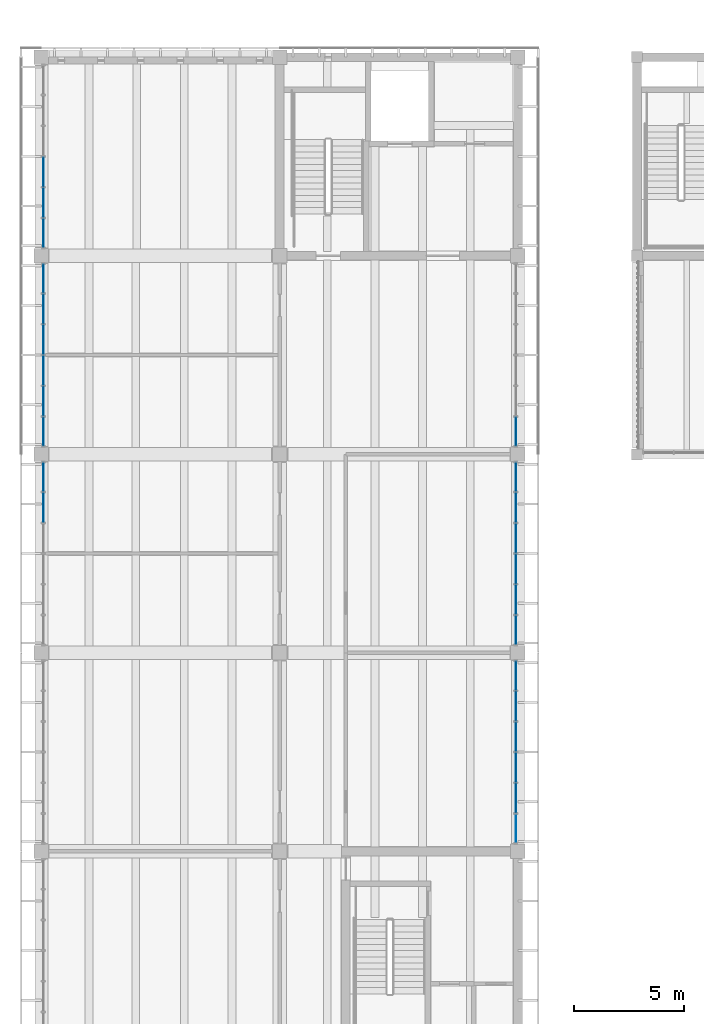
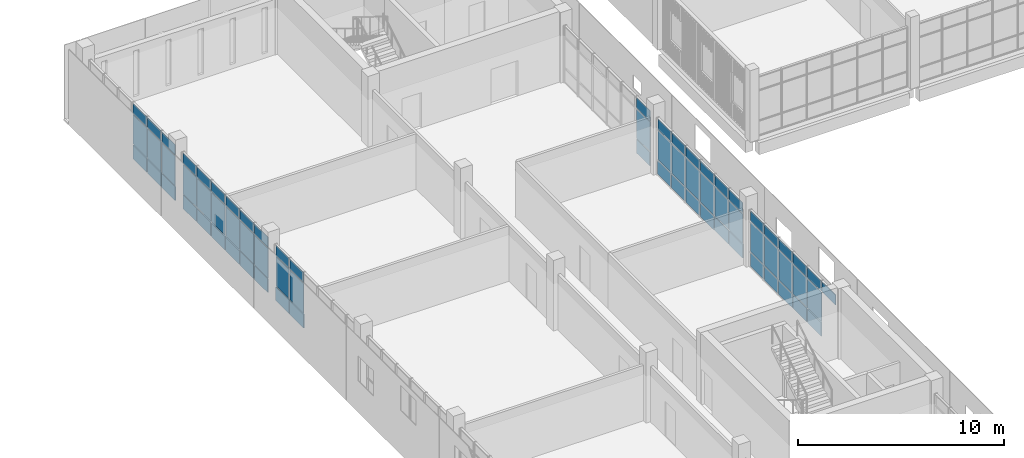
# One storey, part 41 of 92: 70 plates, 6 elements without a shape of their own.
"""IFC4 building model written with IfcOpenShell, lengths in metres."""

import ifcopenshell
import ifcopenshell.guid

model = None  # the IFC model being written
_history = None  # IfcOwnerHistory: only IFC2X3 demands one
_inside = {}  # id of a spatial element -> (the spatial element, [elements in it])
_under = {}  # id of a project, library or spatial element -> (it, [spatial elements below it])
_declared = {}  # id of a project -> (the project, [libraries it declares])
_typed = {}  # id of a type object -> (the type object, [elements of that type])
_made_of = {}  # id of a material, layer set ... -> (it, [elements and type objects made of it])


def new_model(schema):
    """Start an empty IFC model of exactly this schema.

    Asked for "IFC4X3", IfcOpenShell would pick the latest addendum, in which some entities
    have other attributes; the version numbers below select the first issue.
    IFC2X3 requires an IfcOwnerHistory on every rooted entity: one is made here for all.
    """
    global model, _history
    if schema == "IFC4X3":
        model = ifcopenshell.file(schema_version=(4, 3, 0, 0))
    else:
        model = ifcopenshell.file(schema=schema)
    _inside.clear()
    _under.clear()
    _declared.clear()
    _typed.clear()
    _made_of.clear()
    _history = None
    if model.schema == "IFC2X3":
        org = make("IfcOrganization", Name="unknown")
        user = make(
            "IfcPersonAndOrganization",
            ThePerson=make("IfcPerson", FamilyName="unknown"),
            TheOrganization=org,
        )
        app = make(
            "IfcApplication",
            ApplicationDeveloper=org,
            Version="unknown",
            ApplicationFullName="unknown",
            ApplicationIdentifier="unknown",
        )
        _history = make(
            "IfcOwnerHistory",
            OwningUser=user,
            OwningApplication=app,
            ChangeAction="ADDED",
            CreationDate=0,
        )
    return model


def make(cls, **values):
    """One entity of the class cls with the attributes given. An attribute that is None is left unset."""
    return model.create_entity(
        cls, **{name: value for name, value in values.items() if value is not None}
    )


def rooted(cls, **values):
    """An entity with a GlobalId (a new one), such as an element, a storey or a relation."""
    return make(cls, GlobalId=ifcopenshell.guid.new(), OwnerHistory=_history, **values)


def si_unit(unit_type, name, prefix=None):
    """IfcSIUnit, for example si_unit("LENGTHUNIT", "METRE", prefix="MILLI")."""
    return make("IfcSIUnit", UnitType=unit_type, Prefix=prefix, Name=name)


def assignment(units):
    """IfcUnitAssignment: the units of a project."""
    return None if units is None else make("IfcUnitAssignment", Units=units)


def point(xyz):
    """IfcCartesianPoint."""
    return None if xyz is None else make("IfcCartesianPoint", Coordinates=xyz)


def direction(xyz):
    """IfcDirection."""
    return None if xyz is None else make("IfcDirection", DirectionRatios=xyz)


def frame(location, z_axis=None, x_axis=None):
    """IfcAxis2Placement3D, a coordinate frame: its origin and axes. An axis left out is left unset."""
    return make(
        "IfcAxis2Placement3D",
        Location=point(location),
        Axis=direction(z_axis),
        RefDirection=direction(x_axis),
    )


def frame_2d(location, x_axis=None):
    """IfcAxis2Placement2D, a coordinate frame in the plane: its origin and x axis."""
    return make(
        "IfcAxis2Placement2D", Location=point(location), RefDirection=direction(x_axis)
    )


def origin():
    """The frame at (0, 0, 0) with its axes left unset."""
    return frame((0.0, 0.0, 0.0))


def origin_2d():
    """The frame at (0, 0) in the plane with its x axis left unset."""
    return frame_2d((0.0, 0.0))


def place(relative_to, where):
    """IfcLocalPlacement: puts the frame where relative to a parent placement (None: the world)."""
    return make(
        "IfcLocalPlacement", PlacementRelTo=relative_to, RelativePlacement=where
    )


def context(
    kind, dimensions, precision=None, world=None, true_north=None, identifier=None
):
    """IfcGeometricRepresentationContext, for example the 3D "Model" context."""
    return make(
        "IfcGeometricRepresentationContext",
        ContextIdentifier=identifier,
        ContextType=kind,
        CoordinateSpaceDimension=dimensions,
        Precision=precision,
        WorldCoordinateSystem=world,
        TrueNorth=true_north,
    )


def subcontext(parent, identifier, kind, view, scale=None):
    """IfcGeometricRepresentationSubContext, for example "Body" below "Model"."""
    return make(
        "IfcGeometricRepresentationSubContext",
        ContextIdentifier=identifier,
        ContextType=kind,
        ParentContext=parent,
        TargetScale=scale,
        TargetView=view,
    )


def project(units=None, contexts=None):
    """IfcProject with its units and contexts."""
    return rooted(
        "IfcProject",
        Name="project",
        RepresentationContexts=contexts,
        UnitsInContext=assignment(units),
    )


def spatial(cls, under=None, at=None, **own):
    """A site, building, storey or space (cls), placed at a placement, below another one or the project."""
    s = rooted(cls, ObjectPlacement=at, **own)
    if under is not None:
        _under.setdefault(under.id(), (under, []))[1].append(s)
    return s


def profile(cls, at=None, kind="AREA", **sizes):
    """A parametric profile (cls). Its sizes go by their IFC names, for example OverallWidth=200.0."""
    return make(cls, ProfileType=kind, Position=at, **sizes)


def rectangle(**sizes):
    """IfcRectangleProfileDef."""
    return profile("IfcRectangleProfileDef", **sizes)


def extrude(swept, where, along, depth):
    """IfcExtrudedAreaSolid: the profile swept, set in the frame where, extruded along a direction by depth."""
    return make(
        "IfcExtrudedAreaSolid",
        SweptArea=swept,
        Position=where,
        ExtrudedDirection=direction(along),
        Depth=depth,
    )


def shape(context_of_items, identifier, shape_type, items):
    """IfcShapeRepresentation: the items that make up one representation, for example the "Body"."""
    return make(
        "IfcShapeRepresentation",
        ContextOfItems=context_of_items,
        RepresentationIdentifier=identifier,
        RepresentationType=shape_type,
        Items=items,
    )


def material(Name=None, Category=None):
    """IfcMaterial."""
    return make("IfcMaterial", Name=Name, Category=Category)


def layer(
    of_material, thickness, ventilated=None, Name=None, Category=None, Priority=None
):
    """IfcMaterialLayer: one layer of a wall or slab, of a material (None: an air gap)."""
    return make(
        "IfcMaterialLayer",
        Material=of_material,
        LayerThickness=thickness,
        IsVentilated=ventilated,
        Name=Name,
        Category=Category,
        Priority=Priority,
    )


def layer_set(layers, Name=None):
    """IfcMaterialLayerSet."""
    return make("IfcMaterialLayerSet", MaterialLayers=layers, LayerSetName=Name)


def made_of(thing, what):
    """Note that an element or type object is made of a material, layer set ...; save() writes the relation."""
    if what is not None:
        _made_of.setdefault(what.id(), (what, []))[1].append(thing)
    return thing


def type_object(cls, material=None, **own):
    """A type object (cls), such as IfcWallType, which elements share."""
    return made_of(rooted(cls, **own), material)


def element(
    cls,
    number,
    at=None,
    inside=None,
    cuts=None,
    type_object=None,
    material=None,
    context=None,
    identifier="Body",
    shape_type=None,
    held_by="IfcProductDefinitionShape",
    body=None,
    shapes=None,
    **own,
):
    """One element of the class cls, such as IfcWall. Its Tag is "e" and its number.

    at: its placement. inside: the storey or other place that contains it. cuts: it is an
    opening in that element (IfcRelVoidsElement). A single representation is given by context,
    identifier, shape_type and body (its items); several are given by shapes. held_by: the class
    of the entity that holds the representations. save() writes the other relations.
    """
    e = rooted(cls, Tag="e%d" % number, ObjectPlacement=at, **own)
    if body is not None:
        shapes = [shape(context, identifier, shape_type, body)]
    if shapes is not None:
        e.Representation = make(held_by, Representations=shapes)
    if inside is not None:
        _inside.setdefault(inside.id(), (inside, []))[1].append(e)
    if cuts is not None:
        rooted(
            "IfcRelVoidsElement", RelatingBuildingElement=cuts, RelatedOpeningElement=e
        )
    if type_object is not None:
        _typed.setdefault(type_object.id(), (type_object, []))[1].append(e)
    return made_of(e, material)


def aggregate(whole, parts):
    """IfcRelAggregates: a whole, such as a stair, and the parts it consists of."""
    return rooted("IfcRelAggregates", RelatingObject=whole, RelatedObjects=parts)


def save(model, path):
    """Write the relations noted so far, then the file.

    IfcRelAggregates (storeys below a building ...), IfcRelContainedInSpatialStructure (elements
    in a storey), IfcRelDefinesByType, IfcRelAssociatesMaterial and IfcRelDeclares: one each for
    every whole, place, type object, material and project.
    """
    for whole, parts in _under.values():
        aggregate(whole, parts)
    for where, things in _inside.values():
        rooted(
            "IfcRelContainedInSpatialStructure",
            RelatedElements=things,
            RelatingStructure=where,
        )
    for kind, things in _typed.values():
        rooted("IfcRelDefinesByType", RelatedObjects=things, RelatingType=kind)
    for what, things in _made_of.values():
        rooted("IfcRelAssociatesMaterial", RelatedObjects=things, RelatingMaterial=what)
    for by, libraries in _declared.values():
        rooted("IfcRelDeclares", RelatingContext=by, RelatedDefinitions=libraries)
    model.write(path)


model = new_model("IFC4")

# Units and contexts
model_context = context("Model", 3, precision=1e-05, world=origin(), true_north=direction((0.0, 1.0)))
body_context = subcontext(model_context, "Body", "Model", "MODEL_VIEW")
ifc_project = project(units=[si_unit("LENGTHUNIT", "METRE"), si_unit("AREAUNIT", "SQUARE_METRE"), si_unit("VOLUMEUNIT", "CUBIC_METRE"), si_unit("PLANEANGLEUNIT", "RADIAN"), si_unit("MASSUNIT", "GRAM", prefix="KILO")], contexts=[model_context])

# Site, building, storey
site_placement = place(None, origin())
site = spatial("IfcSite", under=ifc_project, at=site_placement, CompositionType="ELEMENT")
building_placement = place(site_placement, origin())
building = spatial("IfcBuilding", under=site, at=building_placement, Name="Merrow Basin Faculty of Sciences", CompositionType="ELEMENT")
storey_placement = place(building_placement, frame((0.0, 0.0, 4.5)))
storey = spatial("IfcBuildingStorey", under=building, at=storey_placement, Name="L01", CompositionType="ELEMENT", Elevation=4.5)

# Curtain wall, plates
ifc_material_1 = material(Name="Aluminium alloy 6063", Category="aluminium")
curtain_wall_type = type_object("IfcCurtainWallType", Name="Bar unitised curtain wall 180", PredefinedType="NOTDEFINED", material=ifc_material_1)
curtain_wall_1_placement = place(storey_placement, origin())
curtain_wall_1 = element("IfcCurtainWall", 1, at=curtain_wall_1_placement, inside=storey, type_object=curtain_wall_type, Name="West curtain wall L01 5", PredefinedType="NOTDEFINED")
ifc_material_2 = material(Name="Insulated aluminium spandrel panel", Category="aluminium")
ifc_layer_1 = layer(ifc_material_2, 0.052001953125)
ifc_layer_set_1 = layer_set([ifc_layer_1], Name="Insulated spandrel panel 52")
plate_type_1 = type_object("IfcPlateType", Name="Insulated spandrel panel 52", PredefinedType="CURTAIN_PANEL", material=ifc_layer_set_1)
plate_1_placement = place(storey_placement, frame((0.090087890625, 112.58740234375, 0.06005859375), z_axis=(0.0, 0.0, 1.0), x_axis=(0.0, 1.0, 0.0)))
plate_1 = element("IfcPlate", 2, at=plate_1_placement, type_object=plate_type_1, Name="CW1 panel 5.1", PredefinedType="CURTAIN_PANEL", context=body_context, shape_type="SweptSolid", body=[
    extrude(rectangle(XDim=1.331787109375, YDim=0.052001953125, at=origin_2d()), origin(), (0.0, 0.0, 1.0), 0.81005859375),
])
plate_2_placement = place(storey_placement, frame((0.090087890625, 113.964111328125, 0.06005859375), z_axis=(0.0, 0.0, 1.0), x_axis=(0.0, 1.0, 0.0)))
plate_2 = element("IfcPlate", 3, at=plate_2_placement, type_object=plate_type_1, Name="CW1 panel 6.1", PredefinedType="CURTAIN_PANEL", context=body_context, shape_type="SweptSolid", body=[
    extrude(rectangle(XDim=1.3017578125, YDim=0.052001953125, at=origin_2d()), origin(), (0.0, 0.0, 1.0), 0.81005859375),
])

curtain_wall_2_placement = place(storey_placement, origin())
curtain_wall_2 = element("IfcCurtainWall", 4, at=curtain_wall_2_placement, inside=storey, type_object=curtain_wall_type, Name="West curtain wall L01 6", PredefinedType="NOTDEFINED")
plate_3_placement = place(storey_placement, frame((0.090087890625, 116.035888671875, 0.06005859375), z_axis=(0.0, 0.0, 1.0), x_axis=(0.0, 1.0, 0.0)))
plate_3 = element("IfcPlate", 5, at=plate_3_placement, type_object=plate_type_1, Name="CW1 panel 1.1", PredefinedType="CURTAIN_PANEL", context=body_context, shape_type="SweptSolid", body=[
    extrude(rectangle(XDim=1.3017578125, YDim=0.052001953125, at=origin_2d()), origin(), (0.0, 0.0, 1.0), 0.81005859375),
])
plate_4_placement = place(storey_placement, frame((0.090087890625, 117.41259765625, 0.06005859375), z_axis=(0.0, 0.0, 1.0), x_axis=(0.0, 1.0, 0.0)))
plate_4 = element("IfcPlate", 6, at=plate_4_placement, type_object=plate_type_1, Name="CW1 panel 2.1", PredefinedType="CURTAIN_PANEL", context=body_context, shape_type="SweptSolid", body=[
    extrude(rectangle(XDim=1.331787109375, YDim=0.052001953125, at=origin_2d()), origin(), (0.0, 0.0, 1.0), 0.81005859375),
])
plate_5_placement = place(storey_placement, frame((0.090087890625, 118.80419921875, 0.06005859375), z_axis=(0.0, 0.0, 1.0), x_axis=(0.0, 1.0, 0.0)))
plate_5 = element("IfcPlate", 7, at=plate_5_placement, type_object=plate_type_1, Name="CW1 panel 3.1", PredefinedType="CURTAIN_PANEL", context=body_context, shape_type="SweptSolid", body=[
    extrude(rectangle(XDim=1.331787109375, YDim=0.052001953125, at=origin_2d()), origin(), (0.0, 0.0, 1.0), 0.81005859375),
])
plate_6_placement = place(storey_placement, frame((0.090087890625, 120.19580078125, 0.06005859375), z_axis=(0.0, 0.0, 1.0), x_axis=(0.0, 1.0, 0.0)))
plate_6 = element("IfcPlate", 8, at=plate_6_placement, type_object=plate_type_1, Name="CW1 panel 4.1", PredefinedType="CURTAIN_PANEL", context=body_context, shape_type="SweptSolid", body=[
    extrude(rectangle(XDim=1.331787109375, YDim=0.052001953125, at=origin_2d()), origin(), (0.0, 0.0, 1.0), 0.81005859375),
])
plate_7_placement = place(storey_placement, frame((0.090087890625, 121.58740234375, 0.06005859375), z_axis=(0.0, 0.0, 1.0), x_axis=(0.0, 1.0, 0.0)))
plate_7 = element("IfcPlate", 9, at=plate_7_placement, type_object=plate_type_1, Name="CW1 panel 5.1", PredefinedType="CURTAIN_PANEL", context=body_context, shape_type="SweptSolid", body=[
    extrude(rectangle(XDim=1.331787109375, YDim=0.052001953125, at=origin_2d()), origin(), (0.0, 0.0, 1.0), 0.81005859375),
])
plate_8_placement = place(storey_placement, frame((0.090087890625, 122.964111328125, 0.06005859375), z_axis=(0.0, 0.0, 1.0), x_axis=(0.0, 1.0, 0.0)))
plate_8 = element("IfcPlate", 10, at=plate_8_placement, type_object=plate_type_1, Name="CW1 panel 6.1", PredefinedType="CURTAIN_PANEL", context=body_context, shape_type="SweptSolid", body=[
    extrude(rectangle(XDim=1.3017578125, YDim=0.052001953125, at=origin_2d()), origin(), (0.0, 0.0, 1.0), 0.81005859375),
])

curtain_wall_3_placement = place(storey_placement, origin())
curtain_wall_3 = element("IfcCurtainWall", 11, at=curtain_wall_3_placement, inside=storey, type_object=curtain_wall_type, Name="West curtain wall L01 7", PredefinedType="NOTDEFINED")
plate_9_placement = place(storey_placement, frame((0.090087890625, 125.035888671875, 0.06005859375), z_axis=(0.0, 0.0, 1.0), x_axis=(0.0, 1.0, 0.0)))
plate_9 = element("IfcPlate", 12, at=plate_9_placement, type_object=plate_type_1, Name="CW1 panel 1.1", PredefinedType="CURTAIN_PANEL", context=body_context, shape_type="SweptSolid", body=[
    extrude(rectangle(XDim=1.3017578125, YDim=0.052001953125, at=origin_2d()), origin(), (0.0, 0.0, 1.0), 0.81005859375),
])
plate_10_placement = place(storey_placement, frame((0.090087890625, 126.41259765625, 0.06005859375), z_axis=(0.0, 0.0, 1.0), x_axis=(0.0, 1.0, 0.0)))
plate_10 = element("IfcPlate", 13, at=plate_10_placement, type_object=plate_type_1, Name="CW1 panel 2.1", PredefinedType="CURTAIN_PANEL", context=body_context, shape_type="SweptSolid", body=[
    extrude(rectangle(XDim=1.331787109375, YDim=0.052001953125, at=origin_2d()), origin(), (0.0, 0.0, 1.0), 0.81005859375),
])
plate_11_placement = place(storey_placement, frame((0.090087890625, 127.80419921875, 0.06005859375), z_axis=(0.0, 0.0, 1.0), x_axis=(0.0, 1.0, 0.0)))
plate_11 = element("IfcPlate", 14, at=plate_11_placement, type_object=plate_type_1, Name="CW1 panel 3.1", PredefinedType="CURTAIN_PANEL", context=body_context, shape_type="SweptSolid", body=[
    extrude(rectangle(XDim=1.331787109375, YDim=0.052001953125, at=origin_2d()), origin(), (0.0, 0.0, 1.0), 0.81005859375),
])

curtain_wall_4_placement = place(storey_placement, origin())
curtain_wall_4 = element("IfcCurtainWall", 15, at=curtain_wall_4_placement, inside=storey, type_object=curtain_wall_type, Name="East curtain wall L01 4", PredefinedType="NOTDEFINED")
plate_12_placement = place(storey_placement, frame((21.510009765625, 99.41259765625, 0.06005859375), z_axis=(0.0, 0.0, 1.0), x_axis=(0.0, 1.0, 0.0)))
plate_12 = element("IfcPlate", 16, at=plate_12_placement, type_object=plate_type_1, Name="CW1 panel 2.1", PredefinedType="CURTAIN_PANEL", context=body_context, shape_type="SweptSolid", body=[
    extrude(rectangle(XDim=1.331787109375, YDim=0.052001953125, at=origin_2d()), origin(), (0.0, 0.0, 1.0), 0.81005859375),
])
plate_13_placement = place(storey_placement, frame((21.510009765625, 100.80419921875, 0.06005859375), z_axis=(0.0, 0.0, 1.0), x_axis=(0.0, 1.0, 0.0)))
plate_13 = element("IfcPlate", 17, at=plate_13_placement, type_object=plate_type_1, Name="CW1 panel 3.1", PredefinedType="CURTAIN_PANEL", context=body_context, shape_type="SweptSolid", body=[
    extrude(rectangle(XDim=1.331787109375, YDim=0.052001953125, at=origin_2d()), origin(), (0.0, 0.0, 1.0), 0.81005859375),
])
plate_14_placement = place(storey_placement, frame((21.510009765625, 102.19580078125, 0.06005859375), z_axis=(0.0, 0.0, 1.0), x_axis=(0.0, 1.0, 0.0)))
plate_14 = element("IfcPlate", 18, at=plate_14_placement, type_object=plate_type_1, Name="CW1 panel 4.1", PredefinedType="CURTAIN_PANEL", context=body_context, shape_type="SweptSolid", body=[
    extrude(rectangle(XDim=1.331787109375, YDim=0.052001953125, at=origin_2d()), origin(), (0.0, 0.0, 1.0), 0.81005859375),
])
plate_15_placement = place(storey_placement, frame((21.510009765625, 103.58740234375, 0.06005859375), z_axis=(0.0, 0.0, 1.0), x_axis=(0.0, 1.0, 0.0)))
plate_15 = element("IfcPlate", 19, at=plate_15_placement, type_object=plate_type_1, Name="CW1 panel 5.1", PredefinedType="CURTAIN_PANEL", context=body_context, shape_type="SweptSolid", body=[
    extrude(rectangle(XDim=1.331787109375, YDim=0.052001953125, at=origin_2d()), origin(), (0.0, 0.0, 1.0), 0.81005859375),
])
plate_16_placement = place(storey_placement, frame((21.510009765625, 104.964111328125, 0.06005859375), z_axis=(0.0, 0.0, 1.0), x_axis=(0.0, 1.0, 0.0)))
plate_16 = element("IfcPlate", 20, at=plate_16_placement, type_object=plate_type_1, Name="CW1 panel 6.1", PredefinedType="CURTAIN_PANEL", context=body_context, shape_type="SweptSolid", body=[
    extrude(rectangle(XDim=1.3017578125, YDim=0.052001953125, at=origin_2d()), origin(), (0.0, 0.0, 1.0), 0.81005859375),
])

curtain_wall_5_placement = place(storey_placement, origin())
curtain_wall_5 = element("IfcCurtainWall", 21, at=curtain_wall_5_placement, inside=storey, type_object=curtain_wall_type, Name="East curtain wall L01 5", PredefinedType="NOTDEFINED")
plate_17_placement = place(storey_placement, frame((21.510009765625, 107.035888671875, 0.06005859375), z_axis=(0.0, 0.0, 1.0), x_axis=(0.0, 1.0, 0.0)))
plate_17 = element("IfcPlate", 22, at=plate_17_placement, type_object=plate_type_1, Name="CW1 panel 1.1", PredefinedType="CURTAIN_PANEL", context=body_context, shape_type="SweptSolid", body=[
    extrude(rectangle(XDim=1.3017578125, YDim=0.052001953125, at=origin_2d()), origin(), (0.0, 0.0, 1.0), 0.81005859375),
])
plate_18_placement = place(storey_placement, frame((21.510009765625, 108.41259765625, 0.06005859375), z_axis=(0.0, 0.0, 1.0), x_axis=(0.0, 1.0, 0.0)))
plate_18 = element("IfcPlate", 23, at=plate_18_placement, type_object=plate_type_1, Name="CW1 panel 2.1", PredefinedType="CURTAIN_PANEL", context=body_context, shape_type="SweptSolid", body=[
    extrude(rectangle(XDim=1.331787109375, YDim=0.052001953125, at=origin_2d()), origin(), (0.0, 0.0, 1.0), 0.81005859375),
])
plate_19_placement = place(storey_placement, frame((21.510009765625, 109.80419921875, 0.06005859375), z_axis=(0.0, 0.0, 1.0), x_axis=(0.0, 1.0, 0.0)))
plate_19 = element("IfcPlate", 24, at=plate_19_placement, type_object=plate_type_1, Name="CW1 panel 3.1", PredefinedType="CURTAIN_PANEL", context=body_context, shape_type="SweptSolid", body=[
    extrude(rectangle(XDim=1.331787109375, YDim=0.052001953125, at=origin_2d()), origin(), (0.0, 0.0, 1.0), 0.81005859375),
])
plate_20_placement = place(storey_placement, frame((21.510009765625, 111.19580078125, 0.06005859375), z_axis=(0.0, 0.0, 1.0), x_axis=(0.0, 1.0, 0.0)))
plate_20 = element("IfcPlate", 25, at=plate_20_placement, type_object=plate_type_1, Name="CW1 panel 4.1", PredefinedType="CURTAIN_PANEL", context=body_context, shape_type="SweptSolid", body=[
    extrude(rectangle(XDim=1.331787109375, YDim=0.052001953125, at=origin_2d()), origin(), (0.0, 0.0, 1.0), 0.81005859375),
])
plate_21_placement = place(storey_placement, frame((21.510009765625, 112.58740234375, 0.06005859375), z_axis=(0.0, 0.0, 1.0), x_axis=(0.0, 1.0, 0.0)))
plate_21 = element("IfcPlate", 26, at=plate_21_placement, type_object=plate_type_1, Name="CW1 panel 5.1", PredefinedType="CURTAIN_PANEL", context=body_context, shape_type="SweptSolid", body=[
    extrude(rectangle(XDim=1.331787109375, YDim=0.052001953125, at=origin_2d()), origin(), (0.0, 0.0, 1.0), 0.81005859375),
])
plate_22_placement = place(storey_placement, frame((21.510009765625, 113.964111328125, 0.06005859375), z_axis=(0.0, 0.0, 1.0), x_axis=(0.0, 1.0, 0.0)))
plate_22 = element("IfcPlate", 27, at=plate_22_placement, type_object=plate_type_1, Name="CW1 panel 6.1", PredefinedType="CURTAIN_PANEL", context=body_context, shape_type="SweptSolid", body=[
    extrude(rectangle(XDim=1.3017578125, YDim=0.052001953125, at=origin_2d()), origin(), (0.0, 0.0, 1.0), 0.81005859375),
])

# Curtain wall, plate
curtain_wall_6_placement = place(storey_placement, origin())
curtain_wall_6 = element("IfcCurtainWall", 28, at=curtain_wall_6_placement, inside=storey, type_object=curtain_wall_type, Name="East curtain wall L01 6", PredefinedType="NOTDEFINED")
plate_23_placement = place(storey_placement, frame((21.510009765625, 116.035888671875, 0.06005859375), z_axis=(0.0, 0.0, 1.0), x_axis=(0.0, 1.0, 0.0)))
plate_23 = element("IfcPlate", 29, at=plate_23_placement, type_object=plate_type_1, Name="CW1 panel 1.1", PredefinedType="CURTAIN_PANEL", context=body_context, shape_type="SweptSolid", body=[
    extrude(rectangle(XDim=1.3017578125, YDim=0.052001953125, at=origin_2d()), origin(), (0.0, 0.0, 1.0), 0.81005859375),
])

# Plate
ifc_material_3 = material(Name="Low-E double glazing", Category="glass")
ifc_layer_2 = layer(ifc_material_3, 0.028076171875)
ifc_layer_set_2 = layer_set([ifc_layer_2], Name="Low-E double glazed panel 28")
plate_type_2 = type_object("IfcPlateType", Name="Low-E double glazed panel 28", PredefinedType="CURTAIN_PANEL", material=ifc_layer_set_2)
plate_24_placement = place(storey_placement, frame((0.090087890625, 112.58740234375, 0.93017578125), z_axis=(0.0, 0.0, 1.0), x_axis=(0.0, 1.0, 0.0)))
plate_24 = element("IfcPlate", 30, at=plate_24_placement, type_object=plate_type_2, Name="CW1 panel 5.2", PredefinedType="CURTAIN_PANEL", context=body_context, shape_type="SweptSolid", body=[
    extrude(rectangle(XDim=1.331787109375, YDim=0.028076171875, at=origin_2d()), origin(), (0.0, 0.0, 1.0), 1.739990234375),
])

plate_25_placement = place(storey_placement, frame((0.090087890625, 112.58740234375, 2.72998046875), z_axis=(0.0, 0.0, 1.0), x_axis=(0.0, 1.0, 0.0)))
plate_25 = element("IfcPlate", 31, at=plate_25_placement, type_object=plate_type_2, Name="CW1 panel 5.3", PredefinedType="CURTAIN_PANEL", context=body_context, shape_type="SweptSolid", body=[
    extrude(rectangle(XDim=1.331787109375, YDim=0.028076171875, at=origin_2d()), origin(), (0.0, 0.0, 1.0), 0.610107421875),
])

plate_26_placement = place(storey_placement, frame((0.090087890625, 113.964111328125, 0.93017578125), z_axis=(0.0, 0.0, 1.0), x_axis=(0.0, 1.0, 0.0)))
plate_26 = element("IfcPlate", 32, at=plate_26_placement, type_object=plate_type_2, Name="CW1 panel 6.2", PredefinedType="CURTAIN_PANEL", context=body_context, shape_type="SweptSolid", body=[
    extrude(rectangle(XDim=1.3017578125, YDim=0.028076171875, at=origin_2d()), origin(), (0.0, 0.0, 1.0), 1.739990234375),
])

plate_27_placement = place(storey_placement, frame((0.090087890625, 113.964111328125, 2.72998046875), z_axis=(0.0, 0.0, 1.0), x_axis=(0.0, 1.0, 0.0)))
plate_27 = element("IfcPlate", 33, at=plate_27_placement, type_object=plate_type_2, Name="CW1 panel 6.3", PredefinedType="CURTAIN_PANEL", context=body_context, shape_type="SweptSolid", body=[
    extrude(rectangle(XDim=1.3017578125, YDim=0.028076171875, at=origin_2d()), origin(), (0.0, 0.0, 1.0), 0.610107421875),
])

aggregate(curtain_wall_1, [plate_1, plate_24, plate_25, plate_2, plate_26, plate_27])

plate_28_placement = place(storey_placement, frame((0.090087890625, 116.035888671875, 0.93017578125), z_axis=(0.0, 0.0, 1.0), x_axis=(0.0, 1.0, 0.0)))
plate_28 = element("IfcPlate", 34, at=plate_28_placement, type_object=plate_type_2, Name="CW1 panel 1.2", PredefinedType="CURTAIN_PANEL", context=body_context, shape_type="SweptSolid", body=[
    extrude(rectangle(XDim=1.3017578125, YDim=0.028076171875, at=origin_2d()), origin(), (0.0, 0.0, 1.0), 1.739990234375),
])

plate_29_placement = place(storey_placement, frame((0.090087890625, 116.035888671875, 2.72998046875), z_axis=(0.0, 0.0, 1.0), x_axis=(0.0, 1.0, 0.0)))
plate_29 = element("IfcPlate", 35, at=plate_29_placement, type_object=plate_type_2, Name="CW1 panel 1.3", PredefinedType="CURTAIN_PANEL", context=body_context, shape_type="SweptSolid", body=[
    extrude(rectangle(XDim=1.3017578125, YDim=0.028076171875, at=origin_2d()), origin(), (0.0, 0.0, 1.0), 0.610107421875),
])

plate_30_placement = place(storey_placement, frame((0.090087890625, 117.41259765625, 0.93017578125), z_axis=(0.0, 0.0, 1.0), x_axis=(0.0, 1.0, 0.0)))
plate_30 = element("IfcPlate", 36, at=plate_30_placement, type_object=plate_type_2, Name="CW1 panel 2.2", PredefinedType="CURTAIN_PANEL", context=body_context, shape_type="SweptSolid", body=[
    extrude(rectangle(XDim=1.331787109375, YDim=0.028076171875, at=origin_2d()), origin(), (0.0, 0.0, 1.0), 1.739990234375),
])

plate_31_placement = place(storey_placement, frame((0.090087890625, 117.41259765625, 2.72998046875), z_axis=(0.0, 0.0, 1.0), x_axis=(0.0, 1.0, 0.0)))
plate_31 = element("IfcPlate", 37, at=plate_31_placement, type_object=plate_type_2, Name="CW1 panel 2.3", PredefinedType="CURTAIN_PANEL", context=body_context, shape_type="SweptSolid", body=[
    extrude(rectangle(XDim=1.331787109375, YDim=0.028076171875, at=origin_2d()), origin(), (0.0, 0.0, 1.0), 0.610107421875),
])

plate_32_placement = place(storey_placement, frame((0.090087890625, 118.80419921875, 0.93017578125), z_axis=(0.0, 0.0, 1.0), x_axis=(0.0, 1.0, 0.0)))
plate_32 = element("IfcPlate", 38, at=plate_32_placement, type_object=plate_type_2, Name="CW1 panel 3.2", PredefinedType="CURTAIN_PANEL", context=body_context, shape_type="SweptSolid", body=[
    extrude(rectangle(XDim=1.331787109375, YDim=0.028076171875, at=origin_2d()), origin(), (0.0, 0.0, 1.0), 1.739990234375),
])

plate_33_placement = place(storey_placement, frame((0.090087890625, 118.80419921875, 2.72998046875), z_axis=(0.0, 0.0, 1.0), x_axis=(0.0, 1.0, 0.0)))
plate_33 = element("IfcPlate", 39, at=plate_33_placement, type_object=plate_type_2, Name="CW1 panel 3.3", PredefinedType="CURTAIN_PANEL", context=body_context, shape_type="SweptSolid", body=[
    extrude(rectangle(XDim=1.331787109375, YDim=0.028076171875, at=origin_2d()), origin(), (0.0, 0.0, 1.0), 0.610107421875),
])

plate_34_placement = place(storey_placement, frame((0.090087890625, 120.19580078125, 0.93017578125), z_axis=(0.0, 0.0, 1.0), x_axis=(0.0, 1.0, 0.0)))
plate_34 = element("IfcPlate", 40, at=plate_34_placement, type_object=plate_type_2, Name="CW1 panel 4.2", PredefinedType="CURTAIN_PANEL", context=body_context, shape_type="SweptSolid", body=[
    extrude(rectangle(XDim=1.331787109375, YDim=0.028076171875, at=origin_2d()), origin(), (0.0, 0.0, 1.0), 1.739990234375),
])

plate_35_placement = place(storey_placement, frame((0.090087890625, 120.19580078125, 2.72998046875), z_axis=(0.0, 0.0, 1.0), x_axis=(0.0, 1.0, 0.0)))
plate_35 = element("IfcPlate", 41, at=plate_35_placement, type_object=plate_type_2, Name="CW1 panel 4.3", PredefinedType="CURTAIN_PANEL", context=body_context, shape_type="SweptSolid", body=[
    extrude(rectangle(XDim=1.331787109375, YDim=0.028076171875, at=origin_2d()), origin(), (0.0, 0.0, 1.0), 0.610107421875),
])

plate_36_placement = place(storey_placement, frame((0.090087890625, 121.58740234375, 0.93017578125), z_axis=(0.0, 0.0, 1.0), x_axis=(0.0, 1.0, 0.0)))
plate_36 = element("IfcPlate", 42, at=plate_36_placement, type_object=plate_type_2, Name="CW1 panel 5.2", PredefinedType="CURTAIN_PANEL", context=body_context, shape_type="SweptSolid", body=[
    extrude(rectangle(XDim=1.331787109375, YDim=0.028076171875, at=origin_2d()), origin(), (0.0, 0.0, 1.0), 1.739990234375),
])

plate_37_placement = place(storey_placement, frame((0.090087890625, 121.58740234375, 2.72998046875), z_axis=(0.0, 0.0, 1.0), x_axis=(0.0, 1.0, 0.0)))
plate_37 = element("IfcPlate", 43, at=plate_37_placement, type_object=plate_type_2, Name="CW1 panel 5.3", PredefinedType="CURTAIN_PANEL", context=body_context, shape_type="SweptSolid", body=[
    extrude(rectangle(XDim=1.331787109375, YDim=0.028076171875, at=origin_2d()), origin(), (0.0, 0.0, 1.0), 0.610107421875),
])

plate_38_placement = place(storey_placement, frame((0.090087890625, 122.964111328125, 0.93017578125), z_axis=(0.0, 0.0, 1.0), x_axis=(0.0, 1.0, 0.0)))
plate_38 = element("IfcPlate", 44, at=plate_38_placement, type_object=plate_type_2, Name="CW1 panel 6.2", PredefinedType="CURTAIN_PANEL", context=body_context, shape_type="SweptSolid", body=[
    extrude(rectangle(XDim=1.3017578125, YDim=0.028076171875, at=origin_2d()), origin(), (0.0, 0.0, 1.0), 1.739990234375),
])

plate_39_placement = place(storey_placement, frame((0.090087890625, 122.964111328125, 2.72998046875), z_axis=(0.0, 0.0, 1.0), x_axis=(0.0, 1.0, 0.0)))
plate_39 = element("IfcPlate", 45, at=plate_39_placement, type_object=plate_type_2, Name="CW1 panel 6.3", PredefinedType="CURTAIN_PANEL", context=body_context, shape_type="SweptSolid", body=[
    extrude(rectangle(XDim=1.3017578125, YDim=0.028076171875, at=origin_2d()), origin(), (0.0, 0.0, 1.0), 0.610107421875),
])

aggregate(curtain_wall_2, [plate_3, plate_28, plate_29, plate_4, plate_30, plate_31, plate_5, plate_32, plate_33, plate_6, plate_34, plate_35, plate_7, plate_36, plate_37, plate_8, plate_38, plate_39])

plate_40_placement = place(storey_placement, frame((0.090087890625, 125.035888671875, 0.93017578125), z_axis=(0.0, 0.0, 1.0), x_axis=(0.0, 1.0, 0.0)))
plate_40 = element("IfcPlate", 46, at=plate_40_placement, type_object=plate_type_2, Name="CW1 panel 1.2", PredefinedType="CURTAIN_PANEL", context=body_context, shape_type="SweptSolid", body=[
    extrude(rectangle(XDim=1.3017578125, YDim=0.028076171875, at=origin_2d()), origin(), (0.0, 0.0, 1.0), 1.739990234375),
])

plate_41_placement = place(storey_placement, frame((0.090087890625, 125.035888671875, 2.72998046875), z_axis=(0.0, 0.0, 1.0), x_axis=(0.0, 1.0, 0.0)))
plate_41 = element("IfcPlate", 47, at=plate_41_placement, type_object=plate_type_2, Name="CW1 panel 1.3", PredefinedType="CURTAIN_PANEL", context=body_context, shape_type="SweptSolid", body=[
    extrude(rectangle(XDim=1.3017578125, YDim=0.028076171875, at=origin_2d()), origin(), (0.0, 0.0, 1.0), 0.610107421875),
])

plate_42_placement = place(storey_placement, frame((0.090087890625, 126.41259765625, 0.93017578125), z_axis=(0.0, 0.0, 1.0), x_axis=(0.0, 1.0, 0.0)))
plate_42 = element("IfcPlate", 48, at=plate_42_placement, type_object=plate_type_2, Name="CW1 panel 2.2", PredefinedType="CURTAIN_PANEL", context=body_context, shape_type="SweptSolid", body=[
    extrude(rectangle(XDim=1.331787109375, YDim=0.028076171875, at=origin_2d()), origin(), (0.0, 0.0, 1.0), 1.739990234375),
])

plate_43_placement = place(storey_placement, frame((0.090087890625, 126.41259765625, 2.72998046875), z_axis=(0.0, 0.0, 1.0), x_axis=(0.0, 1.0, 0.0)))
plate_43 = element("IfcPlate", 49, at=plate_43_placement, type_object=plate_type_2, Name="CW1 panel 2.3", PredefinedType="CURTAIN_PANEL", context=body_context, shape_type="SweptSolid", body=[
    extrude(rectangle(XDim=1.331787109375, YDim=0.028076171875, at=origin_2d()), origin(), (0.0, 0.0, 1.0), 0.610107421875),
])

plate_44_placement = place(storey_placement, frame((0.090087890625, 127.80419921875, 0.93017578125), z_axis=(0.0, 0.0, 1.0), x_axis=(0.0, 1.0, 0.0)))
plate_44 = element("IfcPlate", 50, at=plate_44_placement, type_object=plate_type_2, Name="CW1 panel 3.2", PredefinedType="CURTAIN_PANEL", context=body_context, shape_type="SweptSolid", body=[
    extrude(rectangle(XDim=1.331787109375, YDim=0.028076171875, at=origin_2d()), origin(), (0.0, 0.0, 1.0), 1.739990234375),
])

plate_45_placement = place(storey_placement, frame((0.090087890625, 127.80419921875, 2.72998046875), z_axis=(0.0, 0.0, 1.0), x_axis=(0.0, 1.0, 0.0)))
plate_45 = element("IfcPlate", 51, at=plate_45_placement, type_object=plate_type_2, Name="CW1 panel 3.3", PredefinedType="CURTAIN_PANEL", context=body_context, shape_type="SweptSolid", body=[
    extrude(rectangle(XDim=1.331787109375, YDim=0.028076171875, at=origin_2d()), origin(), (0.0, 0.0, 1.0), 0.610107421875),
])

aggregate(curtain_wall_3, [plate_9, plate_40, plate_41, plate_10, plate_42, plate_43, plate_11, plate_44, plate_45])

plate_46_placement = place(storey_placement, frame((21.510009765625, 98.035888671875, 2.72998046875), z_axis=(0.0, 0.0, 1.0), x_axis=(0.0, 1.0, 0.0)))
plate_46 = element("IfcPlate", 52, at=plate_46_placement, type_object=plate_type_2, Name="CW1 panel 1.3", PredefinedType="CURTAIN_PANEL", context=body_context, shape_type="SweptSolid", body=[
    extrude(rectangle(XDim=1.3017578125, YDim=0.028076171875, at=origin_2d()), origin(), (0.0, 0.0, 1.0), 0.610107421875),
])

plate_47_placement = place(storey_placement, frame((21.510009765625, 99.41259765625, 0.93017578125), z_axis=(0.0, 0.0, 1.0), x_axis=(0.0, 1.0, 0.0)))
plate_47 = element("IfcPlate", 53, at=plate_47_placement, type_object=plate_type_2, Name="CW1 panel 2.2", PredefinedType="CURTAIN_PANEL", context=body_context, shape_type="SweptSolid", body=[
    extrude(rectangle(XDim=1.331787109375, YDim=0.028076171875, at=origin_2d()), origin(), (0.0, 0.0, 1.0), 1.739990234375),
])

plate_48_placement = place(storey_placement, frame((21.510009765625, 99.41259765625, 2.72998046875), z_axis=(0.0, 0.0, 1.0), x_axis=(0.0, 1.0, 0.0)))
plate_48 = element("IfcPlate", 54, at=plate_48_placement, type_object=plate_type_2, Name="CW1 panel 2.3", PredefinedType="CURTAIN_PANEL", context=body_context, shape_type="SweptSolid", body=[
    extrude(rectangle(XDim=1.331787109375, YDim=0.028076171875, at=origin_2d()), origin(), (0.0, 0.0, 1.0), 0.610107421875),
])

plate_49_placement = place(storey_placement, frame((21.510009765625, 100.80419921875, 0.93017578125), z_axis=(0.0, 0.0, 1.0), x_axis=(0.0, 1.0, 0.0)))
plate_49 = element("IfcPlate", 55, at=plate_49_placement, type_object=plate_type_2, Name="CW1 panel 3.2", PredefinedType="CURTAIN_PANEL", context=body_context, shape_type="SweptSolid", body=[
    extrude(rectangle(XDim=1.331787109375, YDim=0.028076171875, at=origin_2d()), origin(), (0.0, 0.0, 1.0), 1.739990234375),
])

plate_50_placement = place(storey_placement, frame((21.510009765625, 100.80419921875, 2.72998046875), z_axis=(0.0, 0.0, 1.0), x_axis=(0.0, 1.0, 0.0)))
plate_50 = element("IfcPlate", 56, at=plate_50_placement, type_object=plate_type_2, Name="CW1 panel 3.3", PredefinedType="CURTAIN_PANEL", context=body_context, shape_type="SweptSolid", body=[
    extrude(rectangle(XDim=1.331787109375, YDim=0.028076171875, at=origin_2d()), origin(), (0.0, 0.0, 1.0), 0.610107421875),
])

plate_51_placement = place(storey_placement, frame((21.510009765625, 102.19580078125, 0.93017578125), z_axis=(0.0, 0.0, 1.0), x_axis=(0.0, 1.0, 0.0)))
plate_51 = element("IfcPlate", 57, at=plate_51_placement, type_object=plate_type_2, Name="CW1 panel 4.2", PredefinedType="CURTAIN_PANEL", context=body_context, shape_type="SweptSolid", body=[
    extrude(rectangle(XDim=1.331787109375, YDim=0.028076171875, at=origin_2d()), origin(), (0.0, 0.0, 1.0), 1.739990234375),
])

plate_52_placement = place(storey_placement, frame((21.510009765625, 102.19580078125, 2.72998046875), z_axis=(0.0, 0.0, 1.0), x_axis=(0.0, 1.0, 0.0)))
plate_52 = element("IfcPlate", 58, at=plate_52_placement, type_object=plate_type_2, Name="CW1 panel 4.3", PredefinedType="CURTAIN_PANEL", context=body_context, shape_type="SweptSolid", body=[
    extrude(rectangle(XDim=1.331787109375, YDim=0.028076171875, at=origin_2d()), origin(), (0.0, 0.0, 1.0), 0.610107421875),
])

plate_53_placement = place(storey_placement, frame((21.510009765625, 103.58740234375, 0.93017578125), z_axis=(0.0, 0.0, 1.0), x_axis=(0.0, 1.0, 0.0)))
plate_53 = element("IfcPlate", 59, at=plate_53_placement, type_object=plate_type_2, Name="CW1 panel 5.2", PredefinedType="CURTAIN_PANEL", context=body_context, shape_type="SweptSolid", body=[
    extrude(rectangle(XDim=1.331787109375, YDim=0.028076171875, at=origin_2d()), origin(), (0.0, 0.0, 1.0), 1.739990234375),
])

plate_54_placement = place(storey_placement, frame((21.510009765625, 103.58740234375, 2.72998046875), z_axis=(0.0, 0.0, 1.0), x_axis=(0.0, 1.0, 0.0)))
plate_54 = element("IfcPlate", 60, at=plate_54_placement, type_object=plate_type_2, Name="CW1 panel 5.3", PredefinedType="CURTAIN_PANEL", context=body_context, shape_type="SweptSolid", body=[
    extrude(rectangle(XDim=1.331787109375, YDim=0.028076171875, at=origin_2d()), origin(), (0.0, 0.0, 1.0), 0.610107421875),
])

plate_55_placement = place(storey_placement, frame((21.510009765625, 104.964111328125, 0.93017578125), z_axis=(0.0, 0.0, 1.0), x_axis=(0.0, 1.0, 0.0)))
plate_55 = element("IfcPlate", 61, at=plate_55_placement, type_object=plate_type_2, Name="CW1 panel 6.2", PredefinedType="CURTAIN_PANEL", context=body_context, shape_type="SweptSolid", body=[
    extrude(rectangle(XDim=1.3017578125, YDim=0.028076171875, at=origin_2d()), origin(), (0.0, 0.0, 1.0), 1.739990234375),
])

plate_56_placement = place(storey_placement, frame((21.510009765625, 104.964111328125, 2.72998046875), z_axis=(0.0, 0.0, 1.0), x_axis=(0.0, 1.0, 0.0)))
plate_56 = element("IfcPlate", 62, at=plate_56_placement, type_object=plate_type_2, Name="CW1 panel 6.3", PredefinedType="CURTAIN_PANEL", context=body_context, shape_type="SweptSolid", body=[
    extrude(rectangle(XDim=1.3017578125, YDim=0.028076171875, at=origin_2d()), origin(), (0.0, 0.0, 1.0), 0.610107421875),
])

aggregate(curtain_wall_4, [plate_46, plate_12, plate_47, plate_48, plate_13, plate_49, plate_50, plate_14, plate_51, plate_52, plate_15, plate_53, plate_54, plate_16, plate_55, plate_56])

plate_57_placement = place(storey_placement, frame((21.510009765625, 107.035888671875, 0.93017578125), z_axis=(0.0, 0.0, 1.0), x_axis=(0.0, 1.0, 0.0)))
plate_57 = element("IfcPlate", 63, at=plate_57_placement, type_object=plate_type_2, Name="CW1 panel 1.2", PredefinedType="CURTAIN_PANEL", context=body_context, shape_type="SweptSolid", body=[
    extrude(rectangle(XDim=1.3017578125, YDim=0.028076171875, at=origin_2d()), origin(), (0.0, 0.0, 1.0), 1.739990234375),
])

plate_58_placement = place(storey_placement, frame((21.510009765625, 107.035888671875, 2.72998046875), z_axis=(0.0, 0.0, 1.0), x_axis=(0.0, 1.0, 0.0)))
plate_58 = element("IfcPlate", 64, at=plate_58_placement, type_object=plate_type_2, Name="CW1 panel 1.3", PredefinedType="CURTAIN_PANEL", context=body_context, shape_type="SweptSolid", body=[
    extrude(rectangle(XDim=1.3017578125, YDim=0.028076171875, at=origin_2d()), origin(), (0.0, 0.0, 1.0), 0.610107421875),
])

plate_59_placement = place(storey_placement, frame((21.510009765625, 108.41259765625, 0.93017578125), z_axis=(0.0, 0.0, 1.0), x_axis=(0.0, 1.0, 0.0)))
plate_59 = element("IfcPlate", 65, at=plate_59_placement, type_object=plate_type_2, Name="CW1 panel 2.2", PredefinedType="CURTAIN_PANEL", context=body_context, shape_type="SweptSolid", body=[
    extrude(rectangle(XDim=1.331787109375, YDim=0.028076171875, at=origin_2d()), origin(), (0.0, 0.0, 1.0), 1.739990234375),
])

plate_60_placement = place(storey_placement, frame((21.510009765625, 108.41259765625, 2.72998046875), z_axis=(0.0, 0.0, 1.0), x_axis=(0.0, 1.0, 0.0)))
plate_60 = element("IfcPlate", 66, at=plate_60_placement, type_object=plate_type_2, Name="CW1 panel 2.3", PredefinedType="CURTAIN_PANEL", context=body_context, shape_type="SweptSolid", body=[
    extrude(rectangle(XDim=1.331787109375, YDim=0.028076171875, at=origin_2d()), origin(), (0.0, 0.0, 1.0), 0.610107421875),
])

plate_61_placement = place(storey_placement, frame((21.510009765625, 109.80419921875, 0.93017578125), z_axis=(0.0, 0.0, 1.0), x_axis=(0.0, 1.0, 0.0)))
plate_61 = element("IfcPlate", 67, at=plate_61_placement, type_object=plate_type_2, Name="CW1 panel 3.2", PredefinedType="CURTAIN_PANEL", context=body_context, shape_type="SweptSolid", body=[
    extrude(rectangle(XDim=1.331787109375, YDim=0.028076171875, at=origin_2d()), origin(), (0.0, 0.0, 1.0), 1.739990234375),
])

plate_62_placement = place(storey_placement, frame((21.510009765625, 109.80419921875, 2.72998046875), z_axis=(0.0, 0.0, 1.0), x_axis=(0.0, 1.0, 0.0)))
plate_62 = element("IfcPlate", 68, at=plate_62_placement, type_object=plate_type_2, Name="CW1 panel 3.3", PredefinedType="CURTAIN_PANEL", context=body_context, shape_type="SweptSolid", body=[
    extrude(rectangle(XDim=1.331787109375, YDim=0.028076171875, at=origin_2d()), origin(), (0.0, 0.0, 1.0), 0.610107421875),
])

plate_63_placement = place(storey_placement, frame((21.510009765625, 111.19580078125, 0.93017578125), z_axis=(0.0, 0.0, 1.0), x_axis=(0.0, 1.0, 0.0)))
plate_63 = element("IfcPlate", 69, at=plate_63_placement, type_object=plate_type_2, Name="CW1 panel 4.2", PredefinedType="CURTAIN_PANEL", context=body_context, shape_type="SweptSolid", body=[
    extrude(rectangle(XDim=1.331787109375, YDim=0.028076171875, at=origin_2d()), origin(), (0.0, 0.0, 1.0), 1.739990234375),
])

plate_64_placement = place(storey_placement, frame((21.510009765625, 111.19580078125, 2.72998046875), z_axis=(0.0, 0.0, 1.0), x_axis=(0.0, 1.0, 0.0)))
plate_64 = element("IfcPlate", 70, at=plate_64_placement, type_object=plate_type_2, Name="CW1 panel 4.3", PredefinedType="CURTAIN_PANEL", context=body_context, shape_type="SweptSolid", body=[
    extrude(rectangle(XDim=1.331787109375, YDim=0.028076171875, at=origin_2d()), origin(), (0.0, 0.0, 1.0), 0.610107421875),
])

plate_65_placement = place(storey_placement, frame((21.510009765625, 112.58740234375, 0.93017578125), z_axis=(0.0, 0.0, 1.0), x_axis=(0.0, 1.0, 0.0)))
plate_65 = element("IfcPlate", 71, at=plate_65_placement, type_object=plate_type_2, Name="CW1 panel 5.2", PredefinedType="CURTAIN_PANEL", context=body_context, shape_type="SweptSolid", body=[
    extrude(rectangle(XDim=1.331787109375, YDim=0.028076171875, at=origin_2d()), origin(), (0.0, 0.0, 1.0), 1.739990234375),
])

plate_66_placement = place(storey_placement, frame((21.510009765625, 112.58740234375, 2.72998046875), z_axis=(0.0, 0.0, 1.0), x_axis=(0.0, 1.0, 0.0)))
plate_66 = element("IfcPlate", 72, at=plate_66_placement, type_object=plate_type_2, Name="CW1 panel 5.3", PredefinedType="CURTAIN_PANEL", context=body_context, shape_type="SweptSolid", body=[
    extrude(rectangle(XDim=1.331787109375, YDim=0.028076171875, at=origin_2d()), origin(), (0.0, 0.0, 1.0), 0.610107421875),
])

plate_67_placement = place(storey_placement, frame((21.510009765625, 113.964111328125, 0.93017578125), z_axis=(0.0, 0.0, 1.0), x_axis=(0.0, 1.0, 0.0)))
plate_67 = element("IfcPlate", 73, at=plate_67_placement, type_object=plate_type_2, Name="CW1 panel 6.2", PredefinedType="CURTAIN_PANEL", context=body_context, shape_type="SweptSolid", body=[
    extrude(rectangle(XDim=1.3017578125, YDim=0.028076171875, at=origin_2d()), origin(), (0.0, 0.0, 1.0), 1.739990234375),
])

plate_68_placement = place(storey_placement, frame((21.510009765625, 113.964111328125, 2.72998046875), z_axis=(0.0, 0.0, 1.0), x_axis=(0.0, 1.0, 0.0)))
plate_68 = element("IfcPlate", 74, at=plate_68_placement, type_object=plate_type_2, Name="CW1 panel 6.3", PredefinedType="CURTAIN_PANEL", context=body_context, shape_type="SweptSolid", body=[
    extrude(rectangle(XDim=1.3017578125, YDim=0.028076171875, at=origin_2d()), origin(), (0.0, 0.0, 1.0), 0.610107421875),
])

aggregate(curtain_wall_5, [plate_17, plate_57, plate_58, plate_18, plate_59, plate_60, plate_19, plate_61, plate_62, plate_20, plate_63, plate_64, plate_21, plate_65, plate_66, plate_22, plate_67, plate_68])

plate_69_placement = place(storey_placement, frame((21.510009765625, 116.035888671875, 0.93017578125), z_axis=(0.0, 0.0, 1.0), x_axis=(0.0, 1.0, 0.0)))
plate_69 = element("IfcPlate", 75, at=plate_69_placement, type_object=plate_type_2, Name="CW1 panel 1.2", PredefinedType="CURTAIN_PANEL", context=body_context, shape_type="SweptSolid", body=[
    extrude(rectangle(XDim=1.3017578125, YDim=0.028076171875, at=origin_2d()), origin(), (0.0, 0.0, 1.0), 1.739990234375),
])

plate_70_placement = place(storey_placement, frame((21.510009765625, 116.035888671875, 2.72998046875), z_axis=(0.0, 0.0, 1.0), x_axis=(0.0, 1.0, 0.0)))
plate_70 = element("IfcPlate", 76, at=plate_70_placement, type_object=plate_type_2, Name="CW1 panel 1.3", PredefinedType="CURTAIN_PANEL", context=body_context, shape_type="SweptSolid", body=[
    extrude(rectangle(XDim=1.3017578125, YDim=0.028076171875, at=origin_2d()), origin(), (0.0, 0.0, 1.0), 0.610107421875),
])

aggregate(curtain_wall_6, [plate_23, plate_69, plate_70])

save(model, "model.ifc")
